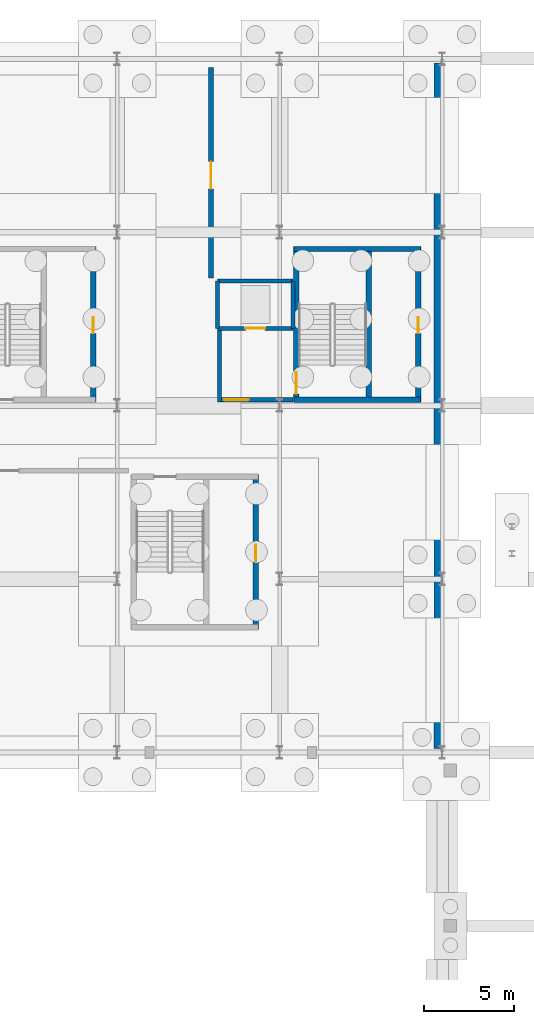
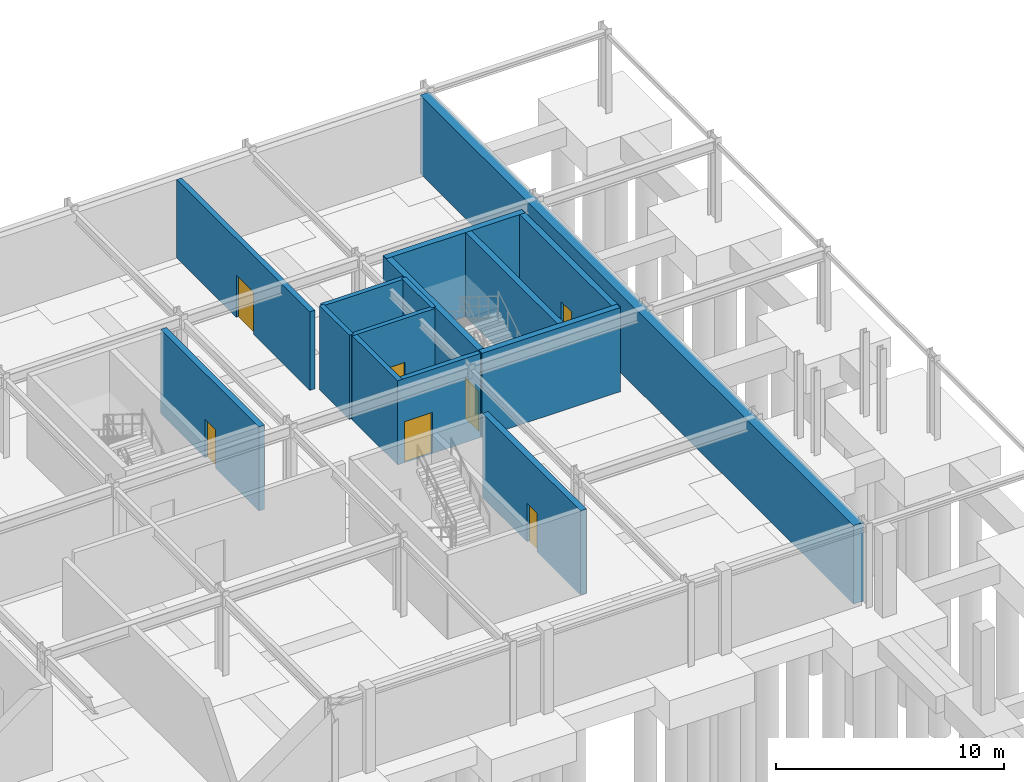
# One storey, part 46 of 59: 15 walls, 7 doors, 7 openings.
"""IFC4 building model written with IfcOpenShell, lengths in metres."""

from ifc_helpers import new_model, si_unit, direction, frame, frame_2d, origin, place, context, subcontext, project, spatial, rectangle, extrude, material, layer, layer_set, type_object, element, fill, save


model = new_model("IFC4")

# Units and contexts
model_context = context("Model", 3, precision=1e-05, world=origin(), true_north=direction((0.0, 1.0)))
body_context = subcontext(model_context, "Body", "Model", "MODEL_VIEW")
ifc_project = project(units=[si_unit("LENGTHUNIT", "METRE"), si_unit("AREAUNIT", "SQUARE_METRE"), si_unit("VOLUMEUNIT", "CUBIC_METRE"), si_unit("PLANEANGLEUNIT", "RADIAN"), si_unit("MASSUNIT", "GRAM", prefix="KILO")], contexts=[model_context])

# Site, building, storey
site_placement = place(None, origin())
site = spatial("IfcSite", under=ifc_project, at=site_placement, CompositionType="ELEMENT")
building_placement = place(site_placement, origin())
building = spatial("IfcBuilding", under=site, at=building_placement, Name="Myrtia Square Station", CompositionType="ELEMENT")
storey_placement = place(building_placement, frame((0.0, 0.0, -4.5)))
storey = spatial("IfcBuildingStorey", under=building, at=storey_placement, Name="B01", CompositionType="ELEMENT", Elevation=-4.5)

# Walls
ifc_material_1 = material(Name="Concrete C35/45", Category="concrete")
ifc_layer_1 = layer(ifc_material_1, 0.300048828125, Name="Concrete C35/45")
ifc_layer_set_1 = layer_set([ifc_layer_1], Name="Concrete C35/45")
wall_type_1 = type_object("IfcWallType", Name="WL-CORE-300", PredefinedType="SHEAR", material=ifc_layer_set_1)
for number, where, z_axis, x_axis, name in (
    (1, (171.800048828125, 105.925048828125, 0.0), (0.0, 0.0, 1.0), (1.0, 0.0, 0.0), "Core K8 shear wall B01 S"),
    (2, (171.800048828125, 114.27490234375, 0.0), (0.0, 0.0, 1.0), (1.0, 0.0, 0.0), "Core K8 shear wall B01 N"),
):
    element("IfcWall", number, at=place(storey_placement, frame(where, z_axis=z_axis, x_axis=x_axis)), inside=storey, type_object=wall_type_1, Name=name, PredefinedType="SHEAR", context=body_context, shape_type="SweptSolid", body=[
        extrude(rectangle(XDim=7.0, YDim=0.300048828125, at=frame_2d((3.5, 0.0))), origin(), (0.0, 0.0, 1.0), 4.5),
    ])

# Wall, opening, door
wall_1_placement = place(storey_placement, frame((171.925048828125, 105.800048828125, 0.0), z_axis=(0.0, 0.0, 1.0), x_axis=(0.0, 1.0, 0.0)))
wall_1 = element("IfcWall", 3, at=wall_1_placement, inside=storey, type_object=wall_type_1, Name="Core K8 shear wall B01 W", PredefinedType="SHEAR", context=body_context, shape_type="SweptSolid", body=[
    extrude(rectangle(XDim=8.599853515625, YDim=0.300048828125, at=frame_2d((4.2998046875, 0.0))), origin(), (0.0, 0.0, 1.0), 4.5),
])
opening_1_placement = place(wall_1_placement, frame((0.449951171875, 0.0, 0.0)))
opening_1 = element("IfcOpeningElement", 4, at=opening_1_placement, cuts=wall_1, Name="Opening SD-125", PredefinedType="OPENING", context=body_context, shape_type="SweptSolid", body=[
    extrude(rectangle(XDim=1.199951171875, YDim=2.14990234375, at=frame_2d((0.60009765625, 1.074951171875))), frame((0.0, 0.1650390625, 0.0), z_axis=(0.0, -1.0, 0.0), x_axis=(1.0, 0.0, 0.0)), (0.0, 0.0, 1.0), 0.330078125),
])
ifc_material_2 = material(Name="Dark bronze anodised aluminium", Category="aluminium")
door_type_1 = type_object("IfcDoorType", Name="DR-STAIR-1200x2150", OperationType="NOTDEFINED", PredefinedType="DOOR", material=ifc_material_2)
door_1_placement = place(opening_1_placement, frame((1.199951171875, 0.0, 0.0), z_axis=(0.0, 0.0, 1.0), x_axis=(-1.0, 0.0, 0.0)))
door_1 = element("IfcDoor", 5, at=door_1_placement, inside=storey, type_object=door_type_1, Name="Protected stair fire door K8 B01", OperationType="SINGLE_SWING_LEFT", OverallHeight=2.14990234375, OverallWidth=1.199951171875, PredefinedType="DOOR", context=body_context, shape_type="SweptSolid", body=[
    extrude(rectangle(XDim=1.199951171875, YDim=2.14990234375, at=frame_2d((0.60009765625, 1.074951171875))), frame((0.0, 0.02490234375, 0.0), z_axis=(0.0, -1.0, 0.0), x_axis=(1.0, 0.0, 0.0)), (0.0, 0.0, 1.0), 0.050048828125),
])
fill(opening_1, door_1)

wall_2_placement = place(storey_placement, frame((178.675048828125, 105.800048828125, 0.0), z_axis=(0.0, 0.0, 1.0), x_axis=(0.0, 1.0, 0.0)))
wall_2 = element("IfcWall", 6, at=wall_2_placement, inside=storey, type_object=wall_type_1, Name="Core K8 shear wall B01 E", PredefinedType="SHEAR", context=body_context, shape_type="SweptSolid", body=[
    extrude(rectangle(XDim=8.599853515625, YDim=0.300048828125, at=frame_2d((4.2998046875, 0.0))), origin(), (0.0, 0.0, 1.0), 4.5),
])
opening_2_placement = place(wall_2_placement, frame((3.800048828125, 0.0, 0.0)))
opening_2 = element("IfcOpeningElement", 7, at=opening_2_placement, cuts=wall_2, Name="Opening RD-126", PredefinedType="OPENING", context=body_context, shape_type="SweptSolid", body=[
    extrude(rectangle(XDim=0.89990234375, YDim=2.050048828125, at=frame_2d((0.449951171875, 1.02490234375))), frame((0.0, 0.1650390625, 0.0), z_axis=(0.0, -1.0, 0.0), x_axis=(1.0, 0.0, 0.0)), (0.0, 0.0, 1.0), 0.330078125),
])
door_type_2 = type_object("IfcDoorType", Name="DR-RISER-900x2050", OperationType="NOTDEFINED", PredefinedType="DOOR", material=ifc_material_2)
door_2_placement = place(opening_2_placement, origin())
door_2 = element("IfcDoor", 8, at=door_2_placement, inside=storey, type_object=door_type_2, Name="Riser cupboard access door K8 B01", OperationType="SINGLE_SWING_RIGHT", OverallHeight=2.050048828125, OverallWidth=0.89990234375, PredefinedType="DOOR", context=body_context, shape_type="SweptSolid", body=[
    extrude(rectangle(XDim=0.89990234375, YDim=2.050048828125, at=frame_2d((0.449951171875, 1.02490234375))), frame((0.0, 0.02490234375, 0.0), z_axis=(0.0, -1.0, 0.0), x_axis=(1.0, 0.0, 0.0)), (0.0, 0.0, 1.0), 0.050048828125),
])
fill(opening_2, door_2)

# Wall
wall_3_placement = place(storey_placement, frame((175.93994140625, 106.0, 0.0), z_axis=(0.0, 0.0, 1.0), x_axis=(0.0, 1.0, 0.0)))
element("IfcWall", 9, at=wall_3_placement, inside=storey, type_object=wall_type_1, Name="Core K8 shear wall B01 D", PredefinedType="SHEAR", context=body_context, shape_type="SweptSolid", body=[
    extrude(rectangle(XDim=8.199951171875, YDim=0.300048828125, at=frame_2d((4.10009765625, 0.0))), origin(), (0.0, 0.0, 1.0), 4.5),
])

# Wall, opening, door
wall_4_placement = place(storey_placement, frame((160.675048828125, 105.800048828125, 0.0), z_axis=(0.0, 0.0, 1.0), x_axis=(0.0, 1.0, 0.0)))
wall_4 = element("IfcWall", 10, at=wall_4_placement, inside=storey, type_object=wall_type_1, Name="Core K15 shear wall B01 E", PredefinedType="SHEAR", context=body_context, shape_type="SweptSolid", body=[
    extrude(rectangle(XDim=8.599853515625, YDim=0.300048828125, at=frame_2d((4.2998046875, 0.0))), origin(), (0.0, 0.0, 1.0), 4.5),
])
opening_3_placement = place(wall_4_placement, frame((3.800048828125, 0.0, 0.0)))
opening_3 = element("IfcOpeningElement", 11, at=opening_3_placement, cuts=wall_4, Name="Opening RD-164", PredefinedType="OPENING", context=body_context, shape_type="SweptSolid", body=[
    extrude(rectangle(XDim=0.89990234375, YDim=2.050048828125, at=frame_2d((0.449951171875, 1.02490234375))), frame((0.0, 0.1650390625, 0.0), z_axis=(0.0, -1.0, 0.0), x_axis=(1.0, 0.0, 0.0)), (0.0, 0.0, 1.0), 0.330078125),
])
door_3_placement = place(opening_3_placement, origin())
door_3 = element("IfcDoor", 12, at=door_3_placement, inside=storey, type_object=door_type_2, Name="Riser cupboard access door K15 B01", OperationType="SINGLE_SWING_RIGHT", OverallHeight=2.050048828125, OverallWidth=0.89990234375, PredefinedType="DOOR", context=body_context, shape_type="SweptSolid", body=[
    extrude(rectangle(XDim=0.89990234375, YDim=2.050048828125, at=frame_2d((0.449951171875, 1.02490234375))), frame((0.0, 0.02490234375, 0.0), z_axis=(0.0, -1.0, 0.0), x_axis=(1.0, 0.0, 0.0)), (0.0, 0.0, 1.0), 0.050048828125),
])
fill(opening_3, door_3)

wall_5_placement = place(storey_placement, frame((169.675048828125, 93.199951171875, 0.0), z_axis=(0.0, 0.0, 1.0), x_axis=(0.0, 1.0, 0.0)))
wall_5 = element("IfcWall", 13, at=wall_5_placement, inside=storey, type_object=wall_type_1, Name="Core K16 shear wall B01 E", PredefinedType="SHEAR", context=body_context, shape_type="SweptSolid", body=[
    extrude(rectangle(XDim=8.60009765625, YDim=0.300048828125, at=frame_2d((4.300048828125, 0.0))), origin(), (0.0, 0.0, 1.0), 4.5),
])
opening_4_placement = place(wall_5_placement, frame((3.800048828125, 0.0, 0.0)))
opening_4 = element("IfcOpeningElement", 14, at=opening_4_placement, cuts=wall_5, Name="Opening RD-176", PredefinedType="OPENING", context=body_context, shape_type="SweptSolid", body=[
    extrude(rectangle(XDim=0.89990234375, YDim=2.050048828125, at=frame_2d((0.449951171875, 1.02490234375))), frame((0.0, 0.1650390625, 0.0), z_axis=(0.0, -1.0, 0.0), x_axis=(1.0, 0.0, 0.0)), (0.0, 0.0, 1.0), 0.330078125),
])
door_4_placement = place(opening_4_placement, origin())
door_4 = element("IfcDoor", 15, at=door_4_placement, inside=storey, type_object=door_type_2, Name="Riser cupboard access door K16 B01", OperationType="SINGLE_SWING_RIGHT", OverallHeight=2.050048828125, OverallWidth=0.89990234375, PredefinedType="DOOR", context=body_context, shape_type="SweptSolid", body=[
    extrude(rectangle(XDim=0.89990234375, YDim=2.050048828125, at=frame_2d((0.449951171875, 1.02490234375))), frame((0.0, 0.02490234375, 0.0), z_axis=(0.0, -1.0, 0.0), x_axis=(1.0, 0.0, 0.0)), (0.0, 0.0, 1.0), 0.050048828125),
])
fill(opening_4, door_4)

# Wall
ifc_layer_2 = layer(ifc_material_1, 0.239990234375, Name="Concrete C35/45")
ifc_layer_set_2 = layer_set([ifc_layer_2], Name="Concrete C35/45")
wall_type_2 = type_object("IfcWallType", Name="WL-FFL-240", PredefinedType="SHEAR", material=ifc_layer_set_2)
wall_6_placement = place(storey_placement, frame((167.669921875, 105.800048828125, 0.0), z_axis=(0.0, 0.0, 1.0), x_axis=(0.0, 1.0, 0.0)))
element("IfcWall", 16, at=wall_6_placement, inside=storey, type_object=wall_type_2, Name="Firefighting lift lobby EI 120 wall K8 B01 W", PredefinedType="SHEAR", context=body_context, shape_type="SweptSolid", body=[
    extrude(rectangle(XDim=4.0, YDim=0.239990234375, at=frame_2d((2.0, 0.0))), origin(), (0.0, 0.0, 1.0), 4.5),
])

# Wall, opening, door
wall_7_placement = place(storey_placement, frame((167.550048828125, 105.919921875, 0.0), z_axis=(0.0, 0.0, 1.0), x_axis=(1.0, 0.0, 0.0)))
wall_7 = element("IfcWall", 17, at=wall_7_placement, inside=storey, type_object=wall_type_2, Name="Firefighting lift lobby EI 120 wall K8 B01 S", PredefinedType="SHEAR", context=body_context, shape_type="SweptSolid", body=[
    extrude(rectangle(XDim=4.199951171875, YDim=0.239990234375, at=frame_2d((2.10009765625, 0.0))), origin(), (0.0, 0.0, 1.0), 4.5),
])
opening_5_placement = place(wall_7_placement, frame((0.35009765625, 0.0, 0.0)))
opening_5 = element("IfcOpeningElement", 18, at=opening_5_placement, cuts=wall_7, Name="Opening FD-127", PredefinedType="OPENING", context=body_context, shape_type="SweptSolid", body=[
    extrude(rectangle(XDim=1.39990234375, YDim=2.199951171875, at=frame_2d((0.699951171875, 1.10009765625))), frame((0.0, 0.135009765625, 0.0), z_axis=(0.0, -1.0, 0.0), x_axis=(1.0, 0.0, 0.0)), (0.0, 0.0, 1.0), 0.27001953125),
])
door_type_3 = type_object("IfcDoorType", Name="DR-FFL-1400x2200", OperationType="NOTDEFINED", PredefinedType="DOOR", material=ifc_material_2)
door_5_placement = place(opening_5_placement, frame((1.39990234375, 0.0, 0.0), z_axis=(0.0, 0.0, 1.0), x_axis=(-1.0, 0.0, 0.0)))
door_5 = element("IfcDoor", 19, at=door_5_placement, inside=storey, type_object=door_type_3, Name="Firefighting lobby fire door K8 B01", OperationType="SINGLE_SWING_LEFT", OverallHeight=2.199951171875, OverallWidth=1.39990234375, PredefinedType="DOOR", context=body_context, shape_type="SweptSolid", body=[
    extrude(rectangle(XDim=1.39990234375, YDim=2.199951171875, at=frame_2d((0.699951171875, 1.10009765625))), frame((0.0, 0.02490234375, 0.0), z_axis=(0.0, -1.0, 0.0), x_axis=(1.0, 0.0, 0.0)), (0.0, 0.0, 1.0), 0.050048828125),
])
fill(opening_5, door_5)

ifc_layer_3 = layer(ifc_material_1, 0.219970703125, Name="Concrete C35/45")
ifc_layer_set_3 = layer_set([ifc_layer_3], Name="Concrete C35/45")
wall_type_3 = type_object("IfcWallType", Name="WL-LIFT-220", PredefinedType="SHEAR", material=ifc_layer_set_3)
wall_8_placement = place(storey_placement, frame((167.570068359375, 109.8798828125, 0.0), z_axis=(0.0, 0.0, 1.0), x_axis=(1.0, 0.0, 0.0)))
wall_8 = element("IfcWall", 20, at=wall_8_placement, inside=storey, type_object=wall_type_3, Name="Lift shaft wall FFL-04 B01 -Y", PredefinedType="SHEAR", context=body_context, shape_type="SweptSolid", body=[
    extrude(rectangle(XDim=4.159912109375, YDim=0.219970703125, at=frame_2d((2.080078125, 0.0))), origin(), (0.0, 0.0, 1.0), 4.5),
])
opening_6_placement = place(wall_8_placement, frame((1.530029296875, 0.0, 0.0)))
opening_6 = element("IfcOpeningElement", 21, at=opening_6_placement, cuts=wall_8, Name="Opening LD-FFL-04", PredefinedType="OPENING", context=body_context, shape_type="SweptSolid", body=[
    extrude(rectangle(XDim=1.10009765625, YDim=2.14990234375, at=frame_2d((0.550048828125, 1.074951171875))), frame((0.0, 0.125, 0.0), z_axis=(0.0, -1.0, 0.0), x_axis=(1.0, 0.0, 0.0)), (0.0, 0.0, 1.0), 0.25),
])
door_type_4 = type_object("IfcDoorType", Name="DR-LIFT-1100x2150", OperationType="NOTDEFINED", PredefinedType="DOOR", material=ifc_material_2)
door_6_placement = place(opening_6_placement, origin())
door_6 = element("IfcDoor", 22, at=door_6_placement, inside=storey, type_object=door_type_4, Name="Lift landing door FFL-04 B01", OperationType="SLIDING_TO_RIGHT", OverallHeight=2.14990234375, OverallWidth=1.10009765625, PredefinedType="DOOR", context=body_context, shape_type="SweptSolid", body=[
    extrude(rectangle(XDim=1.10009765625, YDim=2.14990234375, at=frame_2d((0.550048828125, 1.074951171875))), frame((0.0, 0.02490234375, 0.0), z_axis=(0.0, -1.0, 0.0), x_axis=(1.0, 0.0, 0.0)), (0.0, 0.0, 1.0), 0.050048828125),
])
fill(opening_6, door_6)

# Walls
wall_9_placement = place(storey_placement, frame((167.570068359375, 112.5, 0.0), z_axis=(0.0, 0.0, 1.0), x_axis=(1.0, 0.0, 0.0)))
element("IfcWall", 23, at=wall_9_placement, inside=storey, type_object=wall_type_3, Name="Lift shaft wall FFL-04 B01 +Y", PredefinedType="SHEAR", context=body_context, shape_type="SweptSolid", body=[
    extrude(rectangle(XDim=4.159912109375, YDim=0.219970703125, at=frame_2d((2.080078125, 0.0))), origin(), (0.0, 0.0, 1.0), 4.5),
])
for number, where, z_axis, x_axis, name in (
    (24, (167.570068359375, 109.8798828125, 0.0), (0.0, 0.0, 1.0), (0.0, 1.0, 0.0), "Lift shaft wall FFL-04 B01 -X"),
    (25, (171.72998046875, 109.8798828125, 0.0), (0.0, 0.0, 1.0), (0.0, 1.0, 0.0), "Lift shaft wall FFL-04 B01 +X"),
):
    element("IfcWall", number, at=place(storey_placement, frame(where, z_axis=z_axis, x_axis=x_axis)), inside=storey, type_object=wall_type_3, Name=name, PredefinedType="SHEAR", context=body_context, shape_type="SweptSolid", body=[
        extrude(rectangle(XDim=2.6201171875, YDim=0.219970703125, at=frame_2d((1.31005859375, 0.0))), origin(), (0.0, 0.0, 1.0), 4.5),
    ])

# Wall, opening, door
ifc_material_3 = material(Name="Cream lime stucco on clay brick masonry", Category="masonry")
ifc_layer_4 = layer(ifc_material_3, 0.260009765625, Name="Cream lime stucco on clay brick masonry")
ifc_layer_set_4 = layer_set([ifc_layer_4], Name="Cream lime stucco on clay brick masonry")
wall_type_4 = type_object("IfcWallType", Name="WL-PART-260", PredefinedType="PARTITIONING", material=ifc_layer_set_4)
wall_10_placement = place(storey_placement, frame((167.199951171875, 112.659912109375, 0.0), z_axis=(0.0, 0.0, 1.0), x_axis=(0.0, 1.0, 0.0)))
wall_10 = element("IfcWall", 26, at=wall_10_placement, inside=storey, type_object=wall_type_4, Name="Interior partition wall B01-19", PredefinedType="PARTITIONING", context=body_context, shape_type="SweptSolid", body=[
    extrude(rectangle(XDim=11.6650390625, YDim=0.260009765625, at=frame_2d((5.83251953125, 0.0))), origin(), (0.0, 0.0, 1.0), 4.199951171875),
])
opening_7_placement = place(wall_10_placement, frame((4.945068359375, 0.0, 0.0)))
opening_7 = element("IfcOpeningElement", 27, at=opening_7_placement, cuts=wall_10, Name="Opening D-216", PredefinedType="OPENING", context=body_context, shape_type="SweptSolid", body=[
    extrude(rectangle(XDim=1.5, YDim=2.25, at=frame_2d((0.75, 1.125))), frame((0.0, 0.14501953125, 0.0), z_axis=(0.0, -1.0, 0.0), x_axis=(1.0, 0.0, 0.0)), (0.0, 0.0, 1.0), 0.2900390625),
])
door_type_5 = type_object("IfcDoorType", Name="DR-PLANT-1500x2250", OperationType="NOTDEFINED", PredefinedType="DOOR", material=ifc_material_2)
door_7_placement = place(opening_7_placement, origin())
door_7 = element("IfcDoor", 28, at=door_7_placement, inside=storey, type_object=door_type_5, Name="North Operations Auxiliary Plant Room door D-216", OperationType="SINGLE_SWING_RIGHT", OverallHeight=2.25, OverallWidth=1.5, PredefinedType="DOOR", context=body_context, shape_type="SweptSolid", body=[
    extrude(rectangle(XDim=1.5, YDim=2.25, at=frame_2d((0.75, 1.125))), frame((0.0, 0.02490234375, 0.0), z_axis=(0.0, -1.0, 0.0), x_axis=(1.0, 0.0, 0.0)), (0.0, 0.0, 1.0), 0.050048828125),
])
fill(opening_7, door_7)

# Wall
ifc_layer_5 = layer(ifc_material_1, 0.5, Name="Concrete C35/45")
ifc_layer_set_5 = layer_set([ifc_layer_5], Name="Concrete C35/45")
wall_type_5 = type_object("IfcWallType", Name="WL-RET-500", PredefinedType="SHEAR", material=ifc_layer_set_5)
wall_11_placement = place(storey_placement, frame((179.780029296875, 86.6201171875, 0.0), z_axis=(0.0, 0.0, 1.0), x_axis=(0.0, 1.0, 0.0)))
element("IfcWall", 29, at=wall_11_placement, inside=storey, type_object=wall_type_5, Name="Basement retaining wall V5-10", PredefinedType="SHEAR", context=body_context, shape_type="SweptSolid", body=[
    extrude(rectangle(XDim=37.9599609375, YDim=0.5, at=frame_2d((18.97998046875, 0.0))), origin(), (0.0, 0.0, 1.0), 4.199951171875),
])

save(model, "model.ifc")
